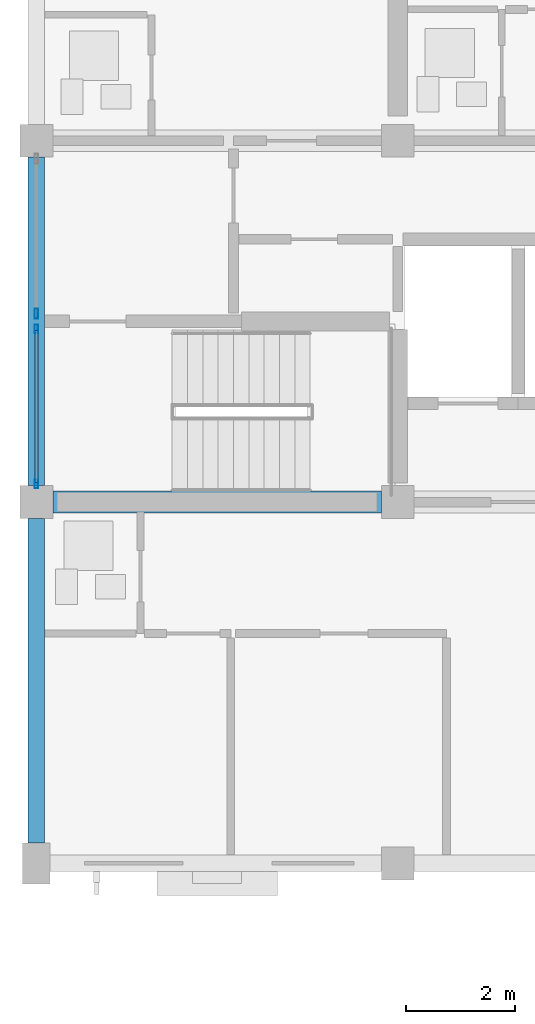
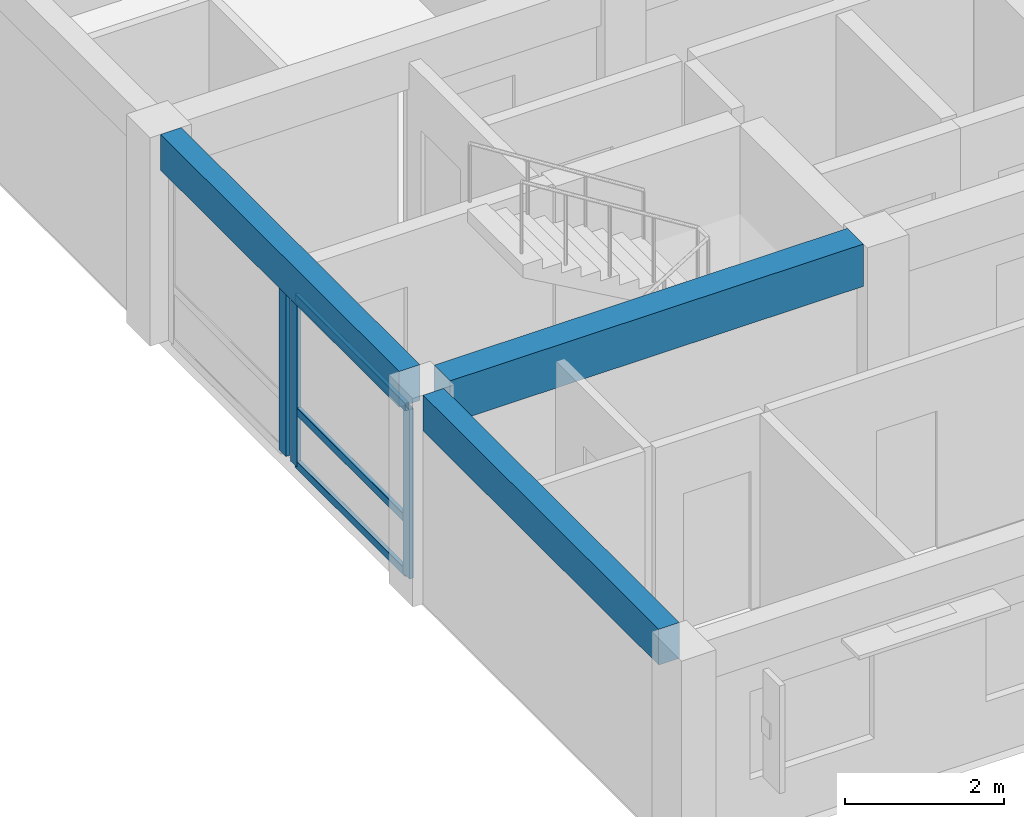
# One storey, part 14 of 52: 6 members, 3 beams, 2 elements without a shape of their own.
"""IFC4 building model written with IfcOpenShell, lengths in metres."""

from ifc_helpers import new_model, si_unit, direction, frame, origin, origin_2d, place, context, subcontext, project, spatial, rectangle, hollow_rectangle, extrude, material, material_profile, profile_set, type_object, element, aggregate, save


model = new_model("IFC4")

# Units and contexts
model_context = context("Model", 3, precision=1e-05, world=origin(), true_north=direction((0.0, 1.0)))
body_context = subcontext(model_context, "Body", "Model", "MODEL_VIEW")
ifc_project = project(units=[si_unit("LENGTHUNIT", "METRE"), si_unit("AREAUNIT", "SQUARE_METRE"), si_unit("VOLUMEUNIT", "CUBIC_METRE"), si_unit("PLANEANGLEUNIT", "RADIAN"), si_unit("MASSUNIT", "GRAM", prefix="KILO")], contexts=[model_context])

# Site, building, storey
site_placement = place(None, origin())
site = spatial("IfcSite", under=ifc_project, at=site_placement, CompositionType="ELEMENT")
building_placement = place(site_placement, origin())
building = spatial("IfcBuilding", under=site, at=building_placement, Name="Kernevlak Ridge Housing Community", CompositionType="ELEMENT")
storey_placement = place(building_placement, frame((0.0, 0.0, 11.60009765625)))
storey = spatial("IfcBuildingStorey", under=building, at=storey_placement, Name="L03", CompositionType="ELEMENT", Elevation=11.60009765625)

# Beam
ifc_material_1 = material(Name="Concrete C35/45", Category="concrete")
ifc_material_profile_1 = material_profile(ifc_material_1, rectangle(XDim=0.39990234375, YDim=0.64990234375, at=origin_2d()), Name="RC 400x650")
ifc_profile_set_1 = profile_set([ifc_material_profile_1], Name="Concrete C35/45")
beam_type_1 = type_object("IfcBeamType", Name="B-03", PredefinedType="T_BEAM", material=ifc_profile_set_1)
beam_1_placement = place(storey_placement, frame((15.89990234375, 82.60009765625, 2.875), z_axis=(1.0, 0.0, 0.0), x_axis=(0.0, 1.0, 0.0)))
element("IfcBeam", 1, at=beam_1_placement, inside=storey, type_object=beam_type_1, Name="Beam B-03 L03 140", PredefinedType="T_BEAM", context=body_context, shape_type="SweptSolid", body=[
    extrude(rectangle(XDim=0.39990234375, YDim=0.64990234375, at=origin_2d()), origin(), (0.0, 0.0, 1.0), 6.0),
])

# Curtain wall, members
ifc_material_2 = material(Name="Aluminium EN AW-6060 anodised and laminated glass", Category="aluminium")
curtain_wall_type_1 = type_object("IfcCurtainWallType", Name="CW-01", PredefinedType="NOTDEFINED", material=ifc_material_2)
curtain_wall_1_placement = place(storey_placement, origin())
curtain_wall_1 = element("IfcCurtainWall", 2, at=curtain_wall_1_placement, inside=storey, type_object=curtain_wall_type_1, Name="Curtain wall CW-01 CW-L03-010", PredefinedType="NOTDEFINED")
ifc_material_3 = material(Name="Aluminium EN AW-6060 anodised", Category="aluminium")
ifc_material_profile_2 = material_profile(ifc_material_3, hollow_rectangle(XDim=0.06005859375, YDim=0.159912109375, WallThickness=0.00390625, InnerFilletRadius=0.001953125, OuterFilletRadius=0.00390625, at=origin_2d()), Name="ALU 60x160x4")
ifc_profile_set_2 = profile_set([ifc_material_profile_2], Name="Aluminium EN AW-6060 anodised")
member_type_1 = type_object("IfcMemberType", Name="MU-02", PredefinedType="MULLION", material=ifc_profile_set_2)
member_1_placement = place(storey_placement, frame((15.60009765625, 82.929931640625, 0.0), z_axis=(0.0, 0.0, 1.0), x_axis=(-1.0, 0.0, 0.0)))
member_1 = element("IfcMember", 3, at=member_1_placement, type_object=member_type_1, Name="CW-01 mullion 1", PredefinedType="MULLION", context=body_context, shape_type="SweptSolid", body=[
    extrude(hollow_rectangle(XDim=0.06005859375, YDim=0.159912109375, WallThickness=0.00390625, InnerFilletRadius=0.001953125, OuterFilletRadius=0.00390625, at=origin_2d()), origin(), (0.0, 0.0, 1.0), 2.599853515625),
])
member_2_placement = place(storey_placement, frame((15.60009765625, 85.760009765625, 0.0), z_axis=(0.0, 0.0, 1.0), x_axis=(-1.0, 0.0, 0.0)))
member_2 = element("IfcMember", 4, at=member_2_placement, type_object=member_type_1, Name="CW-01 mullion 2", PredefinedType="MULLION", context=body_context, shape_type="SweptSolid", body=[
    extrude(hollow_rectangle(XDim=0.06005859375, YDim=0.159912109375, WallThickness=0.00390625, InnerFilletRadius=0.001953125, OuterFilletRadius=0.00390625, at=origin_2d()), origin(), (0.0, 0.0, 1.0), 2.599853515625),
])

# Curtain wall, member
curtain_wall_type_2 = type_object("IfcCurtainWallType", Name="CW-07", PredefinedType="NOTDEFINED", material=ifc_material_2)
curtain_wall_2_placement = place(storey_placement, origin())
curtain_wall_2 = element("IfcCurtainWall", 5, at=curtain_wall_2_placement, inside=storey, type_object=curtain_wall_type_2, Name="Curtain wall CW-07 CW-L03-011", PredefinedType="NOTDEFINED")
ifc_material_profile_3 = material_profile(ifc_material_3, hollow_rectangle(XDim=0.06494140625, YDim=0.179931640625, WallThickness=0.00439453125, InnerFilletRadius=0.001953125, OuterFilletRadius=0.00439453125, at=origin_2d()), Name="ALU 65x180x4.5")
ifc_profile_set_3 = profile_set([ifc_material_profile_3], Name="Aluminium EN AW-6060 anodised")
member_type_2 = type_object("IfcMemberType", Name="MU-03", PredefinedType="MULLION", material=ifc_profile_set_3)
member_3_placement = place(storey_placement, frame((15.60009765625, 86.04248046875, 0.0), z_axis=(0.0, 0.0, 1.0), x_axis=(-1.0, 0.0, 0.0)))
member_3 = element("IfcMember", 6, at=member_3_placement, type_object=member_type_2, Name="CW-07 mullion 1", PredefinedType="MULLION", context=body_context, shape_type="SweptSolid", body=[
    extrude(hollow_rectangle(XDim=0.06494140625, YDim=0.179931640625, WallThickness=0.00439453125, InnerFilletRadius=0.001953125, OuterFilletRadius=0.00439453125, at=origin_2d()), origin(), (0.0, 0.0, 1.0), 2.599853515625),
])
aggregate(curtain_wall_2, [member_3])

# Beams
ifc_material_profile_4 = material_profile(ifc_material_1, rectangle(XDim=0.300048828125, YDim=0.550048828125, at=origin_2d()), Name="RC 300x550")
ifc_profile_set_4 = profile_set([ifc_material_profile_4], Name="Concrete C35/45")
beam_type_2 = type_object("IfcBeamType", Name="SP-01", PredefinedType="SPANDREL", material=ifc_profile_set_4)
beam_2_placement = place(storey_placement, frame((15.60009765625, 76.375, 2.9248046875), z_axis=(0.0, 1.0, 0.0), x_axis=(-1.0, 0.0, 0.0)))
element("IfcBeam", 7, at=beam_2_placement, inside=storey, type_object=beam_type_2, Name="Beam SP-01 L03 155", PredefinedType="SPANDREL", context=body_context, shape_type="SweptSolid", body=[
    extrude(rectangle(XDim=0.300048828125, YDim=0.550048828125, at=origin_2d()), origin(), (0.0, 0.0, 1.0), 5.925048828125),
])
beam_3_placement = place(storey_placement, frame((15.60009765625, 82.89990234375, 2.9248046875), z_axis=(0.0, 1.0, 0.0), x_axis=(-1.0, 0.0, 0.0)))
element("IfcBeam", 8, at=beam_3_placement, inside=storey, type_object=beam_type_2, Name="Beam SP-01 L03 156", PredefinedType="SPANDREL", context=body_context, shape_type="SweptSolid", body=[
    extrude(rectangle(XDim=0.300048828125, YDim=0.550048828125, at=origin_2d()), origin(), (0.0, 0.0, 1.0), 6.0),
])

# Member
ifc_material_profile_5 = material_profile(ifc_material_3, hollow_rectangle(XDim=0.06005859375, YDim=0.1201171875, WallThickness=0.00390625, InnerFilletRadius=0.001953125, OuterFilletRadius=0.00390625, at=origin_2d()), Name="ALU 60x120x4")
ifc_profile_set_5 = profile_set([ifc_material_profile_5], Name="Aluminium EN AW-6060 anodised")
member_type_3 = type_object("IfcMemberType", Name="TM-02", PredefinedType="USERDEFINED", material=ifc_profile_set_5)
member_4_placement = place(storey_placement, frame((15.60009765625, 82.9599609375, 0.02978515625), z_axis=(0.0, 1.0, 0.0), x_axis=(-1.0, 0.0, 0.0)))
member_4 = element("IfcMember", 9, at=member_4_placement, type_object=member_type_3, Name="CW-01 transom 1.1", ObjectType="TRANSOM", PredefinedType="USERDEFINED", context=body_context, shape_type="SweptSolid", body=[
    extrude(hollow_rectangle(XDim=0.06005859375, YDim=0.1201171875, WallThickness=0.00390625, InnerFilletRadius=0.001953125, OuterFilletRadius=0.00390625, at=origin_2d()), origin(), (0.0, 0.0, 1.0), 2.77001953125),
])

member_5_placement = place(storey_placement, frame((15.60009765625, 82.9599609375, 0.849853515625), z_axis=(0.0, 1.0, 0.0), x_axis=(-1.0, 0.0, 0.0)))
member_5 = element("IfcMember", 10, at=member_5_placement, type_object=member_type_3, Name="CW-01 transom 1.2", ObjectType="TRANSOM", PredefinedType="USERDEFINED", context=body_context, shape_type="SweptSolid", body=[
    extrude(hollow_rectangle(XDim=0.06005859375, YDim=0.1201171875, WallThickness=0.00390625, InnerFilletRadius=0.001953125, OuterFilletRadius=0.00390625, at=origin_2d()), origin(), (0.0, 0.0, 1.0), 2.77001953125),
])

member_6_placement = place(storey_placement, frame((15.60009765625, 82.9599609375, 2.56982421875), z_axis=(0.0, 1.0, 0.0), x_axis=(-1.0, 0.0, 0.0)))
member_6 = element("IfcMember", 11, at=member_6_placement, type_object=member_type_3, Name="CW-01 transom 1.3", ObjectType="TRANSOM", PredefinedType="USERDEFINED", context=body_context, shape_type="SweptSolid", body=[
    extrude(hollow_rectangle(XDim=0.06005859375, YDim=0.1201171875, WallThickness=0.00390625, InnerFilletRadius=0.001953125, OuterFilletRadius=0.00390625, at=origin_2d()), origin(), (0.0, 0.0, 1.0), 2.77001953125),
])

aggregate(curtain_wall_1, [member_1, member_2, member_4, member_5, member_6])

save(model, "model.ifc")
